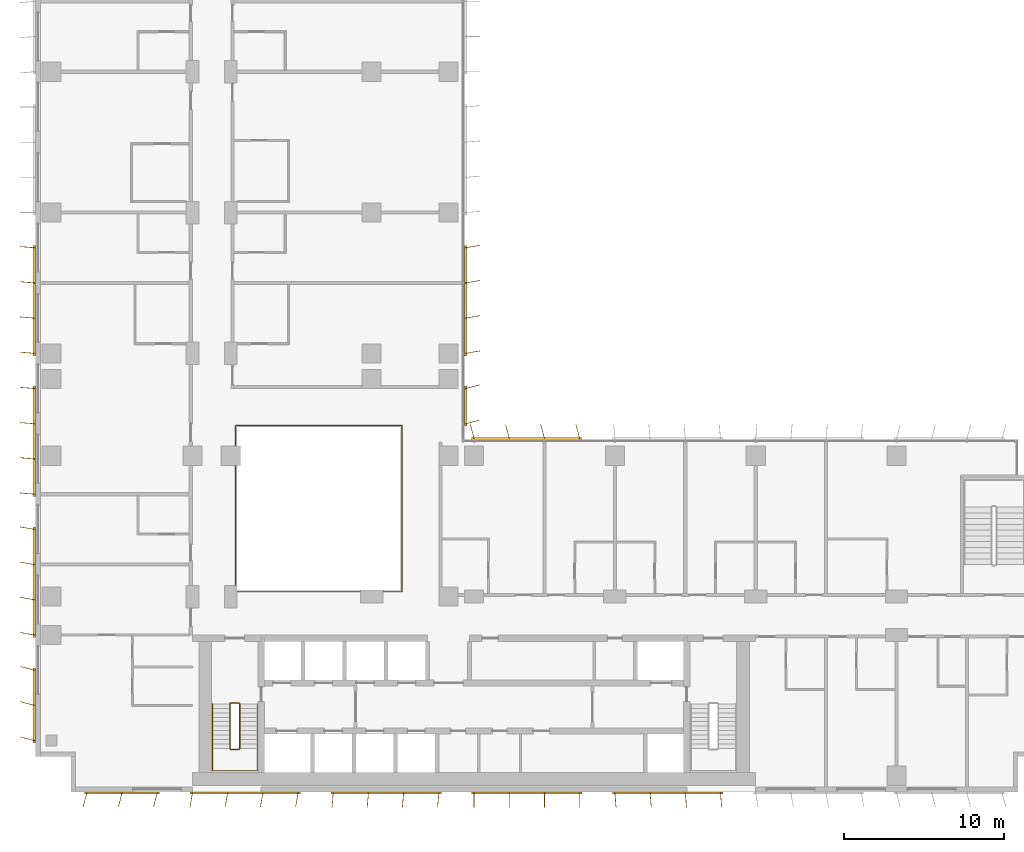
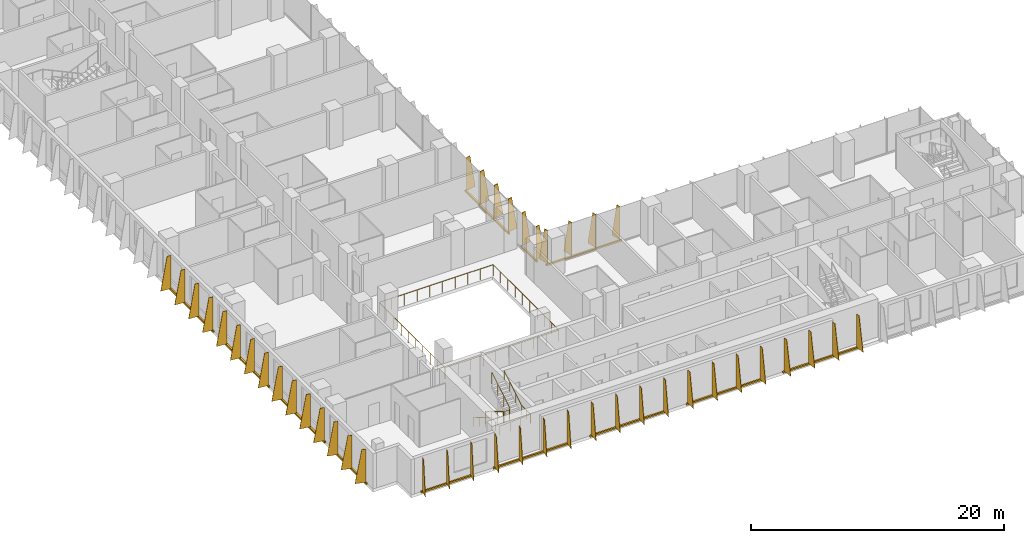
# One storey, part 20 of 23: 12 shading devices, 3 railings.
"""IFC4 building model written with IfcOpenShell, lengths in metres."""

from ifc_helpers import new_model, si_unit, direction, frame, origin, origin_2d, place, context, subcontext, project, spatial, polyline, rectangle, circle, outline, extrude, source, transform, mapped, material, layer, layer_set, type_object, element, save


model = new_model("IFC4")

# Units and contexts
model_context = context("Model", 3, precision=1e-05, world=origin(), true_north=direction((0.0, 1.0)))
body_context = subcontext(model_context, "Body", "Model", "MODEL_VIEW")
ifc_project = project(units=[si_unit("LENGTHUNIT", "METRE"), si_unit("AREAUNIT", "SQUARE_METRE"), si_unit("VOLUMEUNIT", "CUBIC_METRE"), si_unit("PLANEANGLEUNIT", "RADIAN"), si_unit("MASSUNIT", "GRAM", prefix="KILO")], contexts=[model_context])

# Site, building, storey
site_placement = place(None, origin())
site = spatial("IfcSite", under=ifc_project, at=site_placement, CompositionType="ELEMENT")
building_placement = place(site_placement, origin())
building = spatial("IfcBuilding", under=site, at=building_placement, Name="Kemantara Hotel Tower", CompositionType="ELEMENT")
storey_placement = place(building_placement, frame((0.0, 0.0, 114.800048828125)))
storey = spatial("IfcBuildingStorey", under=building, at=storey_placement, Name="L27", CompositionType="ELEMENT", Elevation=114.800048828125)

# Railings
ifc_material_1 = material(Name="Stainless steel and laminated glass balustrade", Category="steel")
railing_type_1 = type_object("IfcRailingType", Name="ATRIUM GUARD 1100", PredefinedType="GUARDRAIL", material=ifc_material_1)
railing_1_placement = place(storey_placement, frame((12.56005859375, 12.5, 0.0)))
element("IfcRailing", 1, at=railing_1_placement, inside=storey, type_object=railing_type_1, Name="ATRIUM GUARD L27", PredefinedType="GUARDRAIL", context=body_context, shape_type="SweptSolid", body=[
    extrude(circle(Radius=0.02490234375, at=origin_2d()), frame((0.0, 0.0, 1.0751953125), z_axis=(1.0, 0.0, 0.0), x_axis=(0.0, 1.0, 0.0)), (0.0, 0.0, 1.0), 10.33984375),
    extrude(circle(Radius=0.02490234375, at=origin_2d()), frame((10.33984375, 0.0, 1.0751953125), z_axis=(0.0, 1.0, 0.0), x_axis=(-1.0, 0.0, 0.0)), (0.0, 0.0, 1.0), 10.39990234375),
    extrude(circle(Radius=0.02490234375, at=origin_2d()), frame((10.33984375, 10.39990234375, 1.0751953125), z_axis=(-1.0, 0.0, 0.0), x_axis=(0.0, -1.0, 0.0)), (0.0, 0.0, 1.0), 10.39990234375),
    extrude(circle(Radius=0.02490234375, at=origin_2d()), frame((-0.06005859375, 10.39990234375, 1.0751953125), z_axis=(0.0, -1.0, 0.0), x_axis=(1.0, 0.0, 0.0)), (0.0, 0.0, 1.0), 10.39990234375),
    extrude(circle(Radius=0.02001953125, at=origin_2d()), origin(), (0.0, 0.0, 1.0), 1.050048828125),
    extrude(circle(Radius=0.02001953125, at=origin_2d()), frame((1.14892578125, 0.0, 0.0)), (0.0, 0.0, 1.0), 1.050048828125),
    extrude(circle(Radius=0.02001953125, at=origin_2d()), frame((2.2978515625, 0.0, 0.0)), (0.0, 0.0, 1.0), 1.050048828125),
    extrude(circle(Radius=0.02001953125, at=origin_2d()), frame((3.446533203125, 0.0, 0.0)), (0.0, 0.0, 1.0), 1.050048828125),
    extrude(circle(Radius=0.02001953125, at=origin_2d()), frame((4.595458984375, 0.0, 0.0)), (0.0, 0.0, 1.0), 1.050048828125),
    extrude(circle(Radius=0.02001953125, at=origin_2d()), frame((5.744384765625, 0.0, 0.0)), (0.0, 0.0, 1.0), 1.050048828125),
    extrude(circle(Radius=0.02001953125, at=origin_2d()), frame((6.893310546875, 0.0, 0.0)), (0.0, 0.0, 1.0), 1.050048828125),
    extrude(circle(Radius=0.02001953125, at=origin_2d()), frame((8.0419921875, 0.0, 0.0)), (0.0, 0.0, 1.0), 1.050048828125),
    extrude(circle(Radius=0.02001953125, at=origin_2d()), frame((9.19091796875, 0.0, 0.0)), (0.0, 0.0, 1.0), 1.050048828125),
    extrude(circle(Radius=0.02001953125, at=origin_2d()), frame((10.33984375, 0.0, 0.0)), (0.0, 0.0, 1.0), 1.050048828125),
    extrude(circle(Radius=0.02001953125, at=origin_2d()), frame((10.33984375, 1.155517578125, 0.0)), (0.0, 0.0, 1.0), 1.050048828125),
    extrude(circle(Radius=0.02001953125, at=origin_2d()), frame((10.33984375, 2.31103515625, 0.0)), (0.0, 0.0, 1.0), 1.050048828125),
    extrude(circle(Radius=0.02001953125, at=origin_2d()), frame((10.33984375, 3.466552734375, 0.0)), (0.0, 0.0, 1.0), 1.050048828125),
    extrude(circle(Radius=0.02001953125, at=origin_2d()), frame((10.33984375, 4.6220703125, 0.0)), (0.0, 0.0, 1.0), 1.050048828125),
    extrude(circle(Radius=0.02001953125, at=origin_2d()), frame((10.33984375, 5.77783203125, 0.0)), (0.0, 0.0, 1.0), 1.050048828125),
    extrude(circle(Radius=0.02001953125, at=origin_2d()), frame((10.33984375, 6.933349609375, 0.0)), (0.0, 0.0, 1.0), 1.050048828125),
    extrude(circle(Radius=0.02001953125, at=origin_2d()), frame((10.33984375, 8.0888671875, 0.0)), (0.0, 0.0, 1.0), 1.050048828125),
    extrude(circle(Radius=0.02001953125, at=origin_2d()), frame((10.33984375, 9.244384765625, 0.0)), (0.0, 0.0, 1.0), 1.050048828125),
    extrude(circle(Radius=0.02001953125, at=origin_2d()), frame((10.33984375, 10.39990234375, 0.0)), (0.0, 0.0, 1.0), 1.050048828125),
    extrude(circle(Radius=0.02001953125, at=origin_2d()), frame((9.184326171875, 10.39990234375, 0.0)), (0.0, 0.0, 1.0), 1.050048828125),
    extrude(circle(Radius=0.02001953125, at=origin_2d()), frame((8.02880859375, 10.39990234375, 0.0)), (0.0, 0.0, 1.0), 1.050048828125),
    extrude(circle(Radius=0.02001953125, at=origin_2d()), frame((6.873291015625, 10.39990234375, 0.0)), (0.0, 0.0, 1.0), 1.050048828125),
    extrude(circle(Radius=0.02001953125, at=origin_2d()), frame((5.7177734375, 10.39990234375, 0.0)), (0.0, 0.0, 1.0), 1.050048828125),
    extrude(circle(Radius=0.02001953125, at=origin_2d()), frame((4.56201171875, 10.39990234375, 0.0)), (0.0, 0.0, 1.0), 1.050048828125),
    extrude(circle(Radius=0.02001953125, at=origin_2d()), frame((3.406494140625, 10.39990234375, 0.0)), (0.0, 0.0, 1.0), 1.050048828125),
    extrude(circle(Radius=0.02001953125, at=origin_2d()), frame((2.2509765625, 10.39990234375, 0.0)), (0.0, 0.0, 1.0), 1.050048828125),
    extrude(circle(Radius=0.02001953125, at=origin_2d()), frame((1.095458984375, 10.39990234375, 0.0)), (0.0, 0.0, 1.0), 1.050048828125),
    extrude(circle(Radius=0.02001953125, at=origin_2d()), frame((-0.06005859375, 10.39990234375, 0.0)), (0.0, 0.0, 1.0), 1.050048828125),
    extrude(circle(Radius=0.02001953125, at=origin_2d()), frame((-0.06005859375, 9.244384765625, 0.0)), (0.0, 0.0, 1.0), 1.050048828125),
    extrude(circle(Radius=0.02001953125, at=origin_2d()), frame((-0.06005859375, 8.0888671875, 0.0)), (0.0, 0.0, 1.0), 1.050048828125),
    extrude(circle(Radius=0.02001953125, at=origin_2d()), frame((-0.06005859375, 6.933349609375, 0.0)), (0.0, 0.0, 1.0), 1.050048828125),
    extrude(circle(Radius=0.02001953125, at=origin_2d()), frame((-0.06005859375, 5.77783203125, 0.0)), (0.0, 0.0, 1.0), 1.050048828125),
    extrude(circle(Radius=0.02001953125, at=origin_2d()), frame((-0.06005859375, 4.6220703125, 0.0)), (0.0, 0.0, 1.0), 1.050048828125),
    extrude(circle(Radius=0.02001953125, at=origin_2d()), frame((-0.06005859375, 3.466552734375, 0.0)), (0.0, 0.0, 1.0), 1.050048828125),
    extrude(circle(Radius=0.02001953125, at=origin_2d()), frame((-0.06005859375, 2.31103515625, 0.0)), (0.0, 0.0, 1.0), 1.050048828125),
    extrude(circle(Radius=0.02001953125, at=origin_2d()), frame((-0.06005859375, 1.155517578125, 0.0)), (0.0, 0.0, 1.0), 1.050048828125),
    extrude(circle(Radius=0.02001953125, at=origin_2d()), frame((-0.06005859375, 0.0, 0.0)), (0.0, 0.0, 1.0), 1.050048828125),
])
ifc_material_2 = material(Name="Stainless steel balustrade", Category="steel")
railing_type_2 = type_object("IfcRailingType", Name="Stair guard 1100 mm", PredefinedType="GUARDRAIL", material=ifc_material_2)
railing_2_placement = place(storey_placement, frame((12.75, 5.5, 3.699951171875)))
element("IfcRailing", 2, at=railing_2_placement, inside=storey, type_object=railing_type_2, Name="L27 ST1 stair guard 1", PredefinedType="GUARDRAIL", context=body_context, shape_type="SweptSolid", body=[
    extrude(circle(Radius=0.02392578125, at=origin_2d()), frame((0.0, 0.0, 1.076171875), z_axis=(0.0, -0.857242210791, -0.514913383045), x_axis=(1.0, 0.0, 0.0)), (0.0, 0.0, 1.0), 3.266357421875),
    extrude(circle(Radius=0.02392578125, at=origin_2d()), frame((0.0, -2.800048828125, -0.60595703125), z_axis=(-0.274243871929, -0.274243871929, -0.92172696468), x_axis=(0.707106781187, -0.707106781187, 0.0)), (0.0, 0.0, 1.0), 0.1826171875),
    extrude(circle(Radius=0.02392578125, at=origin_2d()), frame((-0.050048828125, -2.85009765625, -0.77392578125), z_axis=(-1.0, 0.0, 0.0), x_axis=(0.0, -1.0, 0.0)), (0.0, 0.0, 1.0), 0.5),
    extrude(circle(Radius=0.02392578125, at=origin_2d()), frame((-0.550048828125, -2.85009765625, -0.77392578125), z_axis=(-0.707106781187, 0.707106781187, 0.0), x_axis=(-0.707106781187, -0.707106781187, 0.0)), (0.0, 0.0, 1.0), 0.07080078125),
    extrude(circle(Radius=0.02392578125, at=origin_2d()), frame((-0.60009765625, -2.800048828125, -0.77392578125), z_axis=(0.0, 0.857275202839, -0.514858452973), x_axis=(-1.0, 0.0, 0.0)), (0.0, 0.0, 1.0), 3.26611328125),
    extrude(circle(Radius=0.02392578125, at=origin_2d()), frame((-0.60009765625, 0.0, -2.45556640625), z_axis=(0.274243871929, 0.274243871929, -0.92172696468), x_axis=(-0.707106781187, 0.707106781187, 0.0)), (0.0, 0.0, 1.0), 0.1826171875),
    extrude(circle(Radius=0.02392578125, at=origin_2d()), frame((-0.550048828125, 0.050048828125, -2.6240234375), z_axis=(1.0, 0.0, 0.0), x_axis=(0.0, 1.0, 0.0)), (0.0, 0.0, 1.0), 0.5),
    extrude(circle(Radius=0.02099609375, at=origin_2d()), origin(), (0.0, 0.0, 1.0), 1.052001953125),
    extrude(circle(Radius=0.02099609375, at=origin_2d()), frame((0.0, -0.933349609375, -0.560546875)), (0.0, 0.0, 1.0), 1.052001953125),
    extrude(circle(Radius=0.02099609375, at=origin_2d()), frame((0.0, -1.86669921875, -1.121337890625)), (0.0, 0.0, 1.0), 1.052001953125),
    extrude(circle(Radius=0.02099609375, at=origin_2d()), frame((0.0, -2.800048828125, -1.681884765625)), (0.0, 0.0, 1.0), 1.052001953125),
    extrude(circle(Radius=0.02099609375, at=origin_2d()), frame((-0.050048828125, -2.85009765625, -1.85009765625)), (0.0, 0.0, 1.0), 1.052001953125),
    extrude(circle(Radius=0.02099609375, at=origin_2d()), frame((-0.550048828125, -2.85009765625, -1.85009765625)), (0.0, 0.0, 1.0), 1.052001953125),
    extrude(circle(Radius=0.02099609375, at=origin_2d()), frame((-0.60009765625, -2.800048828125, -1.85009765625)), (0.0, 0.0, 1.0), 1.052001953125),
    extrude(circle(Radius=0.02099609375, at=origin_2d()), frame((-0.60009765625, -1.86669921875, -2.41064453125)), (0.0, 0.0, 1.0), 1.052001953125),
    extrude(circle(Radius=0.02099609375, at=origin_2d()), frame((-0.60009765625, -0.933349609375, -2.97119140625)), (0.0, 0.0, 1.0), 1.052001953125),
    extrude(circle(Radius=0.02099609375, at=origin_2d()), frame((-0.60009765625, 0.0, -3.53173828125)), (0.0, 0.0, 1.0), 1.052001953125),
    extrude(circle(Radius=0.02099609375, at=origin_2d()), frame((-0.550048828125, 0.050048828125, -3.699951171875)), (0.0, 0.0, 1.0), 1.052001953125),
    extrude(circle(Radius=0.02099609375, at=origin_2d()), frame((-0.050048828125, 0.050048828125, -3.699951171875)), (0.0, 0.0, 1.0), 1.052001953125),
])
railing_type_3 = type_object("IfcRailingType", Name="Stair handrail 900 mm", PredefinedType="HANDRAIL", material=ifc_material_2)
railing_3_placement = place(storey_placement, frame((11.050048828125, 5.5, 0.168212890625)))
element("IfcRailing", 3, at=railing_3_placement, inside=storey, type_object=railing_type_3, Name="L27 ST1 stair handrail 1", PredefinedType="HANDRAIL", context=body_context, shape_type="SweptSolid", body=[
    extrude(circle(Radius=0.02392578125, at=origin_2d()), frame((0.0, 0.0, 0.8759765625), z_axis=(0.0, -0.857275202839, 0.514858452973), x_axis=(1.0, 0.0, 0.0)), (0.0, 0.0, 1.0), 3.26611328125),
    extrude(circle(Radius=0.02392578125, at=origin_2d()), frame((0.0, -2.800048828125, 2.5576171875), z_axis=(0.0, -1.0, 0.0), x_axis=(1.0, 0.0, 0.0)), (0.0, 0.0, 1.0), 1.3798828125),
    extrude(circle(Radius=0.02392578125, at=origin_2d()), frame((0.0, -4.179931640625, 2.5576171875), z_axis=(0.998200367801, 0.0, 0.059966871865), x_axis=(0.0, 1.0, 0.0)), (0.0, 0.0, 1.0), 2.80517578125),
    extrude(circle(Radius=0.02392578125, at=origin_2d()), frame((2.800048828125, -4.179931640625, 2.7255859375), z_axis=(0.0, 1.0, 0.0), x_axis=(-1.0, 0.0, 0.0)), (0.0, 0.0, 1.0), 1.3798828125),
    extrude(circle(Radius=0.02392578125, at=origin_2d()), frame((2.800048828125, -2.800048828125, 2.7255859375), z_axis=(0.0, 0.857242210791, 0.514913383045), x_axis=(-1.0, 0.0, 0.0)), (0.0, 0.0, 1.0), 3.266357421875),
    extrude(circle(Radius=0.02099609375, at=origin_2d()), origin(), (0.0, 0.0, 1.0), 0.851806640625),
    extrude(circle(Radius=0.02099609375, at=origin_2d()), frame((0.0, -0.933349609375, 0.560546875)), (0.0, 0.0, 1.0), 0.851806640625),
    extrude(circle(Radius=0.02099609375, at=origin_2d()), frame((0.0, -1.86669921875, 1.12109375)), (0.0, 0.0, 1.0), 0.851806640625),
    extrude(circle(Radius=0.02099609375, at=origin_2d()), frame((0.0, -2.800048828125, 1.681640625)), (0.0, 0.0, 1.0), 0.851806640625),
    extrude(circle(Radius=0.02099609375, at=origin_2d()), frame((0.0, -3.489990234375, 1.681640625)), (0.0, 0.0, 1.0), 0.851806640625),
    extrude(circle(Radius=0.02099609375, at=origin_2d()), frame((0.0, -4.179931640625, 1.681640625)), (0.0, 0.0, 1.0), 0.851806640625),
    extrude(circle(Radius=0.02099609375, at=origin_2d()), frame((0.933349609375, -4.179931640625, 1.73779296875)), (0.0, 0.0, 1.0), 0.851806640625),
    extrude(circle(Radius=0.02099609375, at=origin_2d()), frame((1.86669921875, -4.179931640625, 1.793701171875)), (0.0, 0.0, 1.0), 0.851806640625),
    extrude(circle(Radius=0.02099609375, at=origin_2d()), frame((2.800048828125, -4.179931640625, 1.849853515625)), (0.0, 0.0, 1.0), 0.851806640625),
    extrude(circle(Radius=0.02099609375, at=origin_2d()), frame((2.800048828125, -3.489990234375, 1.849853515625)), (0.0, 0.0, 1.0), 0.851806640625),
    extrude(circle(Radius=0.02099609375, at=origin_2d()), frame((2.800048828125, -2.800048828125, 1.849853515625)), (0.0, 0.0, 1.0), 0.851806640625),
    extrude(circle(Radius=0.02099609375, at=origin_2d()), frame((2.800048828125, -1.86669921875, 2.410400390625)), (0.0, 0.0, 1.0), 0.851806640625),
    extrude(circle(Radius=0.02099609375, at=origin_2d()), frame((2.800048828125, -0.933349609375, 2.97119140625)), (0.0, 0.0, 1.0), 0.851806640625),
    extrude(circle(Radius=0.02099609375, at=origin_2d()), frame((2.800048828125, 0.0, 3.53173828125)), (0.0, 0.0, 1.0), 0.851806640625),
])

# Shading devices
ifc_material_3 = material(Name="Perforated aluminium plate 4 mm bronze anodised", Category="aluminium")
ifc_layer_1 = layer(ifc_material_3, 0.0400390625)
ifc_layer_set_1 = layer_set([ifc_layer_1], Name="Perforated aluminium plate 4 mm bronze anodised")
shading_device_type_1 = type_object("IfcShadingDeviceType", Name="SCREEN FIN CASSETTE, 3 BLADES AT -15.0 DEG, 3200 HIGH", PredefinedType="USERDEFINED", material=ifc_layer_set_1)
shared_shape_1 = source(origin(), body_context, "Body", "SweptSolid", [
    extrude(rectangle(XDim=4.699951171875, YDim=0.14990234375, at=origin_2d()), frame((2.199951171875, -0.074951171875, -0.14990234375), z_axis=(0.0, 0.0, 1.0), x_axis=(1.0, 0.0, 0.0)), (0.0, 0.0, 1.0), 0.14990234375),
    extrude(outline(polyline([(0.0, 0.0), (0.89990234375, 0.0), (0.35009765625, 3.199951171875), (0.0, 3.199951171875), (0.0, 0.0)])), frame((0.019287109375, -0.080078125, 0.0), z_axis=(-0.966437683387, 0.256901156343, 0.0), x_axis=(-0.256901156343, -0.966437683387, 0.0)), (0.0, 0.0, 1.0), 0.039794921875),
    extrude(outline(polyline([(0.0, 0.0), (0.89990234375, 0.0), (0.35009765625, 3.199951171875), (0.0, 3.199951171875), (0.0, 0.0)])), frame((2.21923828125, -0.080078125, 0.0), z_axis=(-0.966437683387, 0.256901156343, 0.0), x_axis=(-0.256901156343, -0.966437683387, 0.0)), (0.0, 0.0, 1.0), 0.039794921875),
    extrude(outline(polyline([(0.0, 0.0), (0.89990234375, 0.0), (0.35009765625, 3.199951171875), (0.0, 3.199951171875), (0.0, 0.0)])), frame((4.41943359375, -0.080078125, 0.0), z_axis=(-0.966837822169, 0.255391122837, 0.0), x_axis=(-0.255391122837, -0.966837822169, 0.0)), (0.0, 0.0, 1.0), 0.0400390625),
])
for number, where, z_axis, x_axis, name in (
    (4, (0.0, 7.60009765625, 0.099853515625), (0.0, 0.0, 1.0), (0.0, -1.0, 0.0), "SCREEN FIN CASSETTE L27 T2-R04-9"),
    (5, (3.199951171875, 0.0, 0.099853515625), (0.0, 0.0, 1.0), (1.0, 0.0, 0.0), "SCREEN FIN CASSETTE L27 T2-R07-1"),
):
    element("IfcShadingDevice", number, at=place(storey_placement, frame(where, z_axis=z_axis, x_axis=x_axis)), inside=storey, type_object=shading_device_type_1, Name=name, ObjectType="SCREEN FIN", PredefinedType="USERDEFINED", context=body_context, shape_type="MappedRepresentation", body=[
        mapped(shared_shape_1, transform((0.0, 0.0, 0.0))),
    ])
ifc_layer_2 = layer(ifc_material_3, 0.0400390625)
ifc_layer_set_2 = layer_set([ifc_layer_2], Name="Perforated aluminium plate 4 mm bronze anodised")
shading_device_type_2 = type_object("IfcShadingDeviceType", Name="SCREEN FIN CASSETTE, 4 BLADES AT -10.0 DEG, 3200 HIGH", PredefinedType="USERDEFINED", material=ifc_layer_set_2)
shared_shape_2 = source(origin(), body_context, "Body", "SweptSolid", [
    extrude(rectangle(XDim=6.89990234375, YDim=0.14990234375, at=origin_2d()), frame((3.300048828125, -0.074951171875, -0.14990234375), z_axis=(0.0, 0.0, 1.0), x_axis=(1.0, 0.0, 0.0)), (0.0, 0.0, 1.0), 0.14990234375),
    extrude(outline(polyline([(0.0, 0.0), (0.89990234375, 0.0), (0.35009765625, 3.199951171875), (0.0, 3.199951171875), (0.0, 0.0)])), frame((0.019775390625, -0.078369140625, 0.0), z_axis=(-0.985389793052, 0.170314285219, 0.0), x_axis=(-0.170314285219, -0.985389793052, 0.0)), (0.0, 0.0, 1.0), 0.0400390625),
    extrude(outline(polyline([(0.0, 0.0), (0.89990234375, 0.0), (0.35009765625, 3.199951171875), (0.0, 3.199951171875), (0.0, 0.0)])), frame((2.2197265625, -0.078369140625, 0.0), z_axis=(-0.98521175482, 0.171341174751, 0.0), x_axis=(-0.171341174751, -0.98521175482, 0.0)), (0.0, 0.0, 1.0), 0.039794921875),
    extrude(outline(polyline([(0.0, 0.0), (0.89990234375, 0.0), (0.35009765625, 3.199951171875), (0.0, 3.199951171875), (0.0, 0.0)])), frame((4.419677734375, -0.078369140625, 0.0), z_axis=(-0.98521175482, 0.171341174751, 0.0), x_axis=(-0.171341174751, -0.98521175482, 0.0)), (0.0, 0.0, 1.0), 0.039794921875),
    extrude(outline(polyline([(0.0, 0.0), (0.89990234375, 0.0), (0.35009765625, 3.199951171875), (0.0, 3.199951171875), (0.0, 0.0)])), frame((6.61962890625, -0.078369140625, 0.0), z_axis=(-0.98521175482, 0.171341174751, 0.0), x_axis=(-0.171341174751, -0.98521175482, 0.0)), (0.0, 0.0, 1.0), 0.039794921875),
])
for number, where, z_axis, x_axis, name in (
    (6, (0.0, 16.39990234375, 0.099853515625), (0.0, 0.0, 1.0), (0.0, -1.0, 0.0), "SCREEN FIN CASSETTE L27 T2-R04-8"),
    (7, (9.800048828125, 0.0, 0.099853515625), (0.0, 0.0, 1.0), (1.0, 0.0, 0.0), "SCREEN FIN CASSETTE L27 T2-R07-2"),
):
    element("IfcShadingDevice", number, at=place(storey_placement, frame(where, z_axis=z_axis, x_axis=x_axis)), inside=storey, type_object=shading_device_type_2, Name=name, ObjectType="SCREEN FIN", PredefinedType="USERDEFINED", context=body_context, shape_type="MappedRepresentation", body=[
        mapped(shared_shape_2, transform((0.0, 0.0, 0.0))),
    ])
ifc_layer_3 = layer(ifc_material_3, 0.0400390625)
ifc_layer_set_3 = layer_set([ifc_layer_3], Name="Perforated aluminium plate 4 mm bronze anodised")
shading_device_type_3 = type_object("IfcShadingDeviceType", Name="SCREEN FIN CASSETTE, 4 BLADES AT -5.0 DEG, 3200 HIGH", PredefinedType="USERDEFINED", material=ifc_layer_set_3)
shared_shape_3 = source(origin(), body_context, "Body", "SweptSolid", [
    extrude(rectangle(XDim=6.89990234375, YDim=0.14990234375, at=origin_2d()), frame((3.300048828125, -0.074951171875, -0.14990234375), z_axis=(0.0, 0.0, 1.0), x_axis=(1.0, 0.0, 0.0)), (0.0, 0.0, 1.0), 0.14990234375),
    extrude(outline(polyline([(0.0, 0.0), (0.89990234375, 0.0), (0.35009765625, 3.199951171875), (0.0, 3.199951171875), (0.0, 0.0)])), frame((0.02001953125, -0.07666015625, 0.0), z_axis=(-0.996376129781, 0.085056498884, 0.0), x_axis=(-0.085056498884, -0.996376129781, 0.0)), (0.0, 0.0, 1.0), 0.040283203125),
    extrude(outline(polyline([(0.0, 0.0), (0.89990234375, 0.0), (0.35009765625, 3.199951171875), (0.0, 3.199951171875), (0.0, 0.0)])), frame((2.219970703125, -0.07666015625, 0.0), z_axis=(-0.996331773833, 0.085574508182, 0.0), x_axis=(-0.085574508182, -0.996331773833, 0.0)), (0.0, 0.0, 1.0), 0.0400390625),
    extrude(outline(polyline([(0.0, 0.0), (0.89990234375, 0.0), (0.35009765625, 3.199951171875), (0.0, 3.199951171875), (0.0, 0.0)])), frame((4.419921875, -0.07666015625, 0.0), z_axis=(-0.996331773833, 0.085574508182, 0.0), x_axis=(-0.085574508182, -0.996331773833, 0.0)), (0.0, 0.0, 1.0), 0.0400390625),
    extrude(outline(polyline([(0.0, 0.0), (0.89990234375, 0.0), (0.35009765625, 3.199951171875), (0.0, 3.199951171875), (0.0, 0.0)])), frame((6.619873046875, -0.07666015625, 0.0), z_axis=(-0.996331773833, 0.085574508182, 0.0), x_axis=(-0.085574508182, -0.996331773833, 0.0)), (0.0, 0.0, 1.0), 0.0400390625),
])
for number, where, z_axis, x_axis, name in (
    (8, (0.0, 34.0, 0.099853515625), (0.0, 0.0, 1.0), (0.0, -1.0, 0.0), "SCREEN FIN CASSETTE L27 T2-R04-6"),
    (9, (0.0, 25.199951171875, 0.099853515625), (0.0, 0.0, 1.0), (0.0, -1.0, 0.0), "SCREEN FIN CASSETTE L27 T2-R04-7"),
    (10, (18.60009765625, 0.0, 0.099853515625), (0.0, 0.0, 1.0), (1.0, 0.0, 0.0), "SCREEN FIN CASSETTE L27 T2-R07-3"),
):
    element("IfcShadingDevice", number, at=place(storey_placement, frame(where, z_axis=z_axis, x_axis=x_axis)), inside=storey, type_object=shading_device_type_3, Name=name, ObjectType="SCREEN FIN", PredefinedType="USERDEFINED", context=body_context, shape_type="MappedRepresentation", body=[
        mapped(shared_shape_3, transform((0.0, 0.0, 0.0))),
    ])
ifc_layer_4 = layer(ifc_material_3, 0.0400390625)
ifc_layer_set_4 = layer_set([ifc_layer_4], Name="Perforated aluminium plate 4 mm bronze anodised")
shading_device_type_4 = type_object("IfcShadingDeviceType", Name="SCREEN FIN CASSETTE, 4 BLADES AT +0.0 DEG, 3200 HIGH", PredefinedType="USERDEFINED", material=ifc_layer_set_4)
shared_shape_4 = source(origin(), body_context, "Body", "SweptSolid", [
    extrude(rectangle(XDim=6.89990234375, YDim=0.14990234375, at=origin_2d()), frame((3.300048828125, -0.074951171875, -0.14990234375), z_axis=(0.0, 0.0, 1.0), x_axis=(1.0, 0.0, 0.0)), (0.0, 0.0, 1.0), 0.14990234375),
    extrude(outline(polyline([(0.0, 0.0), (0.89990234375, 0.0), (0.35009765625, 3.199951171875), (0.0, 3.199951171875), (0.0, 0.0)])), frame((0.02001953125, -0.074951171875, 0.0), z_axis=(-1.0, 0.0, 0.0), x_axis=(0.0, -1.0, 0.0)), (0.0, 0.0, 1.0), 0.0400390625),
    extrude(outline(polyline([(0.0, 0.0), (0.89990234375, 0.0), (0.35009765625, 3.199951171875), (0.0, 3.199951171875), (0.0, 0.0)])), frame((2.219970703125, -0.074951171875, 0.0), z_axis=(-1.0, 0.0, 0.0), x_axis=(0.0, -1.0, 0.0)), (0.0, 0.0, 1.0), 0.0400390625),
    extrude(outline(polyline([(0.0, 0.0), (0.89990234375, 0.0), (0.35009765625, 3.199951171875), (0.0, 3.199951171875), (0.0, 0.0)])), frame((4.419921875, -0.074951171875, 0.0), z_axis=(-1.0, 0.0, 0.0), x_axis=(0.0, -1.0, 0.0)), (0.0, 0.0, 1.0), 0.0400390625),
    extrude(outline(polyline([(0.0, 0.0), (0.89990234375, 0.0), (0.35009765625, 3.199951171875), (0.0, 3.199951171875), (0.0, 0.0)])), frame((6.6201171875, -0.074951171875, 0.0), z_axis=(-1.0, 0.0, 0.0), x_axis=(0.0, -1.0, 0.0)), (0.0, 0.0, 1.0), 0.0400390625),
])
shading_device_1_placement = place(storey_placement, frame((27.39990234375, 0.0, 0.099853515625), z_axis=(0.0, 0.0, 1.0), x_axis=(1.0, 0.0, 0.0)))
element("IfcShadingDevice", 11, at=shading_device_1_placement, inside=storey, type_object=shading_device_type_4, Name="SCREEN FIN CASSETTE L27 T2-R07-4", ObjectType="SCREEN FIN", PredefinedType="USERDEFINED", context=body_context, shape_type="MappedRepresentation", body=[
    mapped(shared_shape_4, transform((0.0, 0.0, 0.0))),
])
ifc_layer_5 = layer(ifc_material_3, 0.0400390625)
ifc_layer_set_5 = layer_set([ifc_layer_5], Name="Perforated aluminium plate 4 mm bronze anodised")
shading_device_type_5 = type_object("IfcShadingDeviceType", Name="SCREEN FIN CASSETTE, 4 BLADES AT +5.0 DEG, 3200 HIGH", PredefinedType="USERDEFINED", material=ifc_layer_set_5)
shared_shape_5 = source(origin(), body_context, "Body", "SweptSolid", [
    extrude(rectangle(XDim=6.89990234375, YDim=0.14990234375, at=origin_2d()), frame((3.300048828125, -0.074951171875, -0.14990234375), z_axis=(0.0, 0.0, 1.0), x_axis=(1.0, 0.0, 0.0)), (0.0, 0.0, 1.0), 0.14990234375),
    extrude(outline(polyline([(0.0, 0.0), (0.89990234375, 0.0), (0.35009765625, 3.199951171875), (0.0, 3.199951171875), (0.0, 0.0)])), frame((0.02001953125, -0.0732421875, 0.0), z_axis=(-0.996376129781, -0.085056498884, 0.0), x_axis=(0.085056498884, -0.996376129781, 0.0)), (0.0, 0.0, 1.0), 0.040283203125),
    extrude(outline(polyline([(0.0, 0.0), (0.89990234375, 0.0), (0.35009765625, 3.199951171875), (0.0, 3.199951171875), (0.0, 0.0)])), frame((2.219970703125, -0.0732421875, 0.0), z_axis=(-0.996331773833, -0.085574508182, 0.0), x_axis=(0.085574508182, -0.996331773833, 0.0)), (0.0, 0.0, 1.0), 0.0400390625),
    extrude(outline(polyline([(0.0, 0.0), (0.89990234375, 0.0), (0.35009765625, 3.199951171875), (0.0, 3.199951171875), (0.0, 0.0)])), frame((4.419921875, -0.0732421875, 0.0), z_axis=(-0.996331773833, -0.085574508182, 0.0), x_axis=(0.085574508182, -0.996331773833, 0.0)), (0.0, 0.0, 1.0), 0.0400390625),
    extrude(outline(polyline([(0.0, 0.0), (0.89990234375, 0.0), (0.35009765625, 3.199951171875), (0.0, 3.199951171875), (0.0, 0.0)])), frame((6.619873046875, -0.0732421875, 0.0), z_axis=(-0.996331773833, -0.085574508182, 0.0), x_axis=(0.085574508182, -0.996331773833, 0.0)), (0.0, 0.0, 1.0), 0.0400390625),
])
shading_device_2_placement = place(storey_placement, frame((36.199951171875, 0.0, 0.099853515625), z_axis=(0.0, 0.0, 1.0), x_axis=(1.0, 0.0, 0.0)))
element("IfcShadingDevice", 12, at=shading_device_2_placement, inside=storey, type_object=shading_device_type_5, Name="SCREEN FIN CASSETTE L27 T2-R07-5", ObjectType="SCREEN FIN", PredefinedType="USERDEFINED", context=body_context, shape_type="MappedRepresentation", body=[
    mapped(shared_shape_5, transform((0.0, 0.0, 0.0))),
])
ifc_layer_6 = layer(ifc_material_3, 0.0400390625)
ifc_layer_set_6 = layer_set([ifc_layer_6], Name="Perforated aluminium plate 4 mm bronze anodised")
shading_device_type_6 = type_object("IfcShadingDeviceType", Name="SCREEN FIN CASSETTE, 4 BLADES AT +10.0 DEG, 3200 HIGH", PredefinedType="USERDEFINED", material=ifc_layer_set_6)
shared_shape_6 = source(origin(), body_context, "Body", "SweptSolid", [
    extrude(rectangle(XDim=6.89990234375, YDim=0.14990234375, at=origin_2d()), frame((3.300048828125, -0.074951171875, -0.14990234375), z_axis=(0.0, 0.0, 1.0), x_axis=(1.0, 0.0, 0.0)), (0.0, 0.0, 1.0), 0.14990234375),
    extrude(outline(polyline([(0.0, 0.0), (0.89990234375, 0.0), (0.35009765625, 3.199951171875), (0.0, 3.199951171875), (0.0, 0.0)])), frame((0.019775390625, -0.071533203125, 0.0), z_axis=(-0.985389793052, -0.170314285219, 0.0), x_axis=(0.170314285219, -0.985389793052, 0.0)), (0.0, 0.0, 1.0), 0.0400390625),
    extrude(outline(polyline([(0.0, 0.0), (0.89990234375, 0.0), (0.35009765625, 3.199951171875), (0.0, 3.199951171875), (0.0, 0.0)])), frame((2.2197265625, -0.071533203125, 0.0), z_axis=(-0.98521175482, -0.171341174751, 0.0), x_axis=(0.171341174751, -0.98521175482, 0.0)), (0.0, 0.0, 1.0), 0.039794921875),
    extrude(outline(polyline([(0.0, 0.0), (0.89990234375, 0.0), (0.35009765625, 3.199951171875), (0.0, 3.199951171875), (0.0, 0.0)])), frame((4.419677734375, -0.071533203125, 0.0), z_axis=(-0.98521175482, -0.171341174751, 0.0), x_axis=(0.171341174751, -0.98521175482, 0.0)), (0.0, 0.0, 1.0), 0.039794921875),
    extrude(outline(polyline([(0.0, 0.0), (0.89990234375, 0.0), (0.35009765625, 3.199951171875), (0.0, 3.199951171875), (0.0, 0.0)])), frame((6.61962890625, -0.071533203125, 0.0), z_axis=(-0.98521175482, -0.171341174751, 0.0), x_axis=(0.171341174751, -0.98521175482, 0.0)), (0.0, 0.0, 1.0), 0.039794921875),
])
shading_device_3_placement = place(storey_placement, frame((26.800048828125, 27.39990234375, 0.099853515625), z_axis=(0.0, 0.0, 1.0), x_axis=(0.0, 1.0, 0.0)))
element("IfcShadingDevice", 13, at=shading_device_3_placement, inside=storey, type_object=shading_device_type_6, Name="SCREEN FIN CASSETTE L27 T2-R14-2", ObjectType="SCREEN FIN", PredefinedType="USERDEFINED", context=body_context, shape_type="MappedRepresentation", body=[
    mapped(shared_shape_6, transform((0.0, 0.0, 0.0))),
])
ifc_layer_7 = layer(ifc_material_3, 0.0400390625)
ifc_layer_set_7 = layer_set([ifc_layer_7], Name="Perforated aluminium plate 4 mm bronze anodised")
shading_device_type_7 = type_object("IfcShadingDeviceType", Name="SCREEN FIN CASSETTE, 4 BLADES AT +15.0 DEG, 3200 HIGH", PredefinedType="USERDEFINED", material=ifc_layer_set_7)
shared_shape_7 = source(origin(), body_context, "Body", "SweptSolid", [
    extrude(rectangle(XDim=6.89990234375, YDim=0.14990234375, at=origin_2d()), frame((3.300048828125, -0.074951171875, -0.14990234375), z_axis=(0.0, 0.0, 1.0), x_axis=(1.0, 0.0, 0.0)), (0.0, 0.0, 1.0), 0.14990234375),
    extrude(outline(polyline([(0.0, 0.0), (0.89990234375, 0.0), (0.35009765625, 3.199951171875), (0.0, 3.199951171875), (0.0, 0.0)])), frame((0.019287109375, -0.06982421875, 0.0), z_axis=(-0.966437683387, -0.256901156343, 0.0), x_axis=(0.256901156343, -0.966437683387, 0.0)), (0.0, 0.0, 1.0), 0.039794921875),
    extrude(outline(polyline([(0.0, 0.0), (0.89990234375, 0.0), (0.35009765625, 3.199951171875), (0.0, 3.199951171875), (0.0, 0.0)])), frame((2.21923828125, -0.06982421875, 0.0), z_axis=(-0.966437683387, -0.256901156343, 0.0), x_axis=(0.256901156343, -0.966437683387, 0.0)), (0.0, 0.0, 1.0), 0.039794921875),
    extrude(outline(polyline([(0.0, 0.0), (0.89990234375, 0.0), (0.35009765625, 3.199951171875), (0.0, 3.199951171875), (0.0, 0.0)])), frame((4.41943359375, -0.06982421875, 0.0), z_axis=(-0.966837822169, -0.255391122837, 0.0), x_axis=(0.255391122837, -0.966837822169, 0.0)), (0.0, 0.0, 1.0), 0.0400390625),
    extrude(outline(polyline([(0.0, 0.0), (0.89990234375, 0.0), (0.35009765625, 3.199951171875), (0.0, 3.199951171875), (0.0, 0.0)])), frame((6.619384765625, -0.06982421875, 0.0), z_axis=(-0.966837822169, -0.255391122837, 0.0), x_axis=(0.255391122837, -0.966837822169, 0.0)), (0.0, 0.0, 1.0), 0.0400390625),
])
shading_device_4_placement = place(storey_placement, frame((34.0, 22.0, 0.099853515625), z_axis=(0.0, 0.0, 1.0), x_axis=(-1.0, 0.0, 0.0)))
element("IfcShadingDevice", 14, at=shading_device_4_placement, inside=storey, type_object=shading_device_type_7, Name="SCREEN FIN CASSETTE L27 T2-R13-4", ObjectType="SCREEN FIN", PredefinedType="USERDEFINED", context=body_context, shape_type="MappedRepresentation", body=[
    mapped(shared_shape_7, transform((0.0, 0.0, 0.0))),
])
ifc_layer_8 = layer(ifc_material_3, 0.0400390625)
ifc_layer_set_8 = layer_set([ifc_layer_8], Name="Perforated aluminium plate 4 mm bronze anodised")
shading_device_type_8 = type_object("IfcShadingDeviceType", Name="SCREEN FIN CASSETTE, 2 BLADES AT +15.0 DEG, 3200 HIGH", PredefinedType="USERDEFINED", material=ifc_layer_set_8)
shared_shape_8 = source(origin(), body_context, "Body", "SweptSolid", [
    extrude(rectangle(XDim=2.5, YDim=0.14990234375, at=origin_2d()), frame((1.10009765625, -0.074951171875, -0.14990234375), z_axis=(0.0, 0.0, 1.0), x_axis=(1.0, 0.0, 0.0)), (0.0, 0.0, 1.0), 0.14990234375),
    extrude(outline(polyline([(0.0, 0.0), (0.89990234375, 0.0), (0.35009765625, 3.199951171875), (0.0, 3.199951171875), (0.0, 0.0)])), frame((0.019287109375, -0.06982421875, 0.0), z_axis=(-0.966437683387, -0.256901156343, 0.0), x_axis=(0.256901156343, -0.966437683387, 0.0)), (0.0, 0.0, 1.0), 0.039794921875),
    extrude(outline(polyline([(0.0, 0.0), (0.89990234375, 0.0), (0.35009765625, 3.199951171875), (0.0, 3.199951171875), (0.0, 0.0)])), frame((2.21923828125, -0.06982421875, 0.0), z_axis=(-0.966437683387, -0.256901156343, 0.0), x_axis=(0.256901156343, -0.966437683387, 0.0)), (0.0, 0.0, 1.0), 0.039794921875),
])
shading_device_5_placement = place(storey_placement, frame((26.800048828125, 23.0, 0.099853515625), z_axis=(0.0, 0.0, 1.0), x_axis=(0.0, 1.0, 0.0)))
element("IfcShadingDevice", 15, at=shading_device_5_placement, inside=storey, type_object=shading_device_type_8, Name="SCREEN FIN CASSETTE L27 T2-R14-1", ObjectType="SCREEN FIN", PredefinedType="USERDEFINED", context=body_context, shape_type="MappedRepresentation", body=[
    mapped(shared_shape_8, transform((0.0, 0.0, 0.0))),
])

save(model, "model.ifc")
